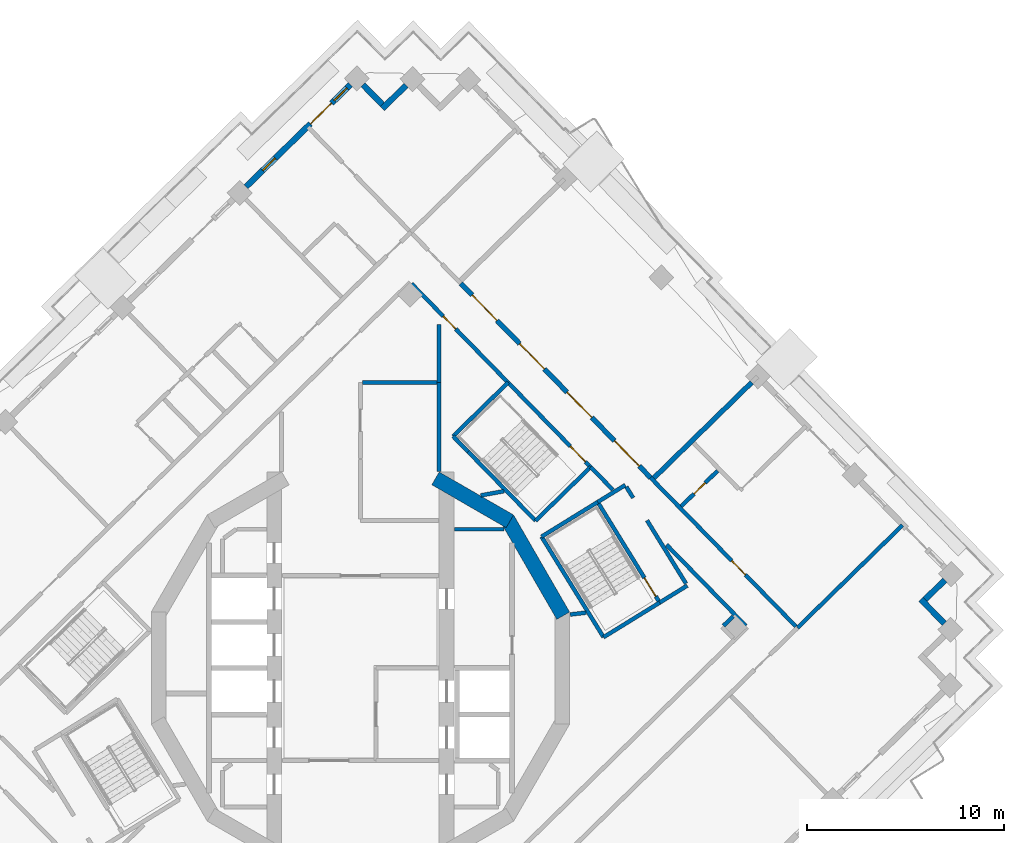
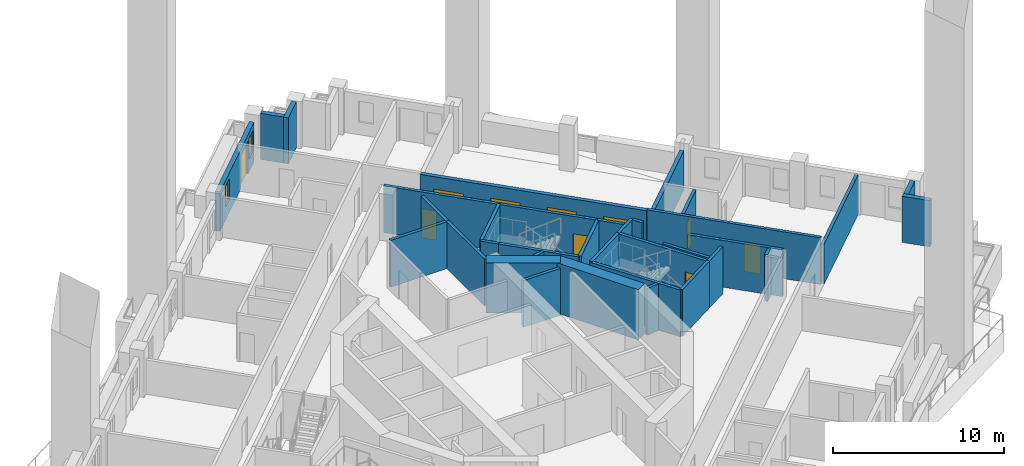
# One storey, part 8 of 17: 35 walls, 10 doors, 2 windows, 12 openings.
"""IFC4 building model written with IfcOpenShell, lengths in metres."""

from ifc_helpers import new_model, si_unit, direction, frame, frame_2d, origin, place, context, subcontext, project, spatial, rectangle, extrude, material, layer, layer_set, type_object, element, fill, save


model = new_model("IFC4")

# Units and contexts
model_context = context("Model", 3, precision=1e-05, world=origin(), true_north=direction((0.0, 1.0)))
body_context = subcontext(model_context, "Body", "Model", "MODEL_VIEW")
ifc_project = project(units=[si_unit("LENGTHUNIT", "METRE"), si_unit("AREAUNIT", "SQUARE_METRE"), si_unit("VOLUMEUNIT", "CUBIC_METRE"), si_unit("PLANEANGLEUNIT", "RADIAN"), si_unit("MASSUNIT", "GRAM", prefix="KILO")], contexts=[model_context])

# Site, building, storey
site_placement = place(None, origin())
site = spatial("IfcSite", under=ifc_project, at=site_placement, CompositionType="ELEMENT")
building_placement = place(site_placement, origin())
building = spatial("IfcBuilding", under=site, at=building_placement, Name="Cantera Rosa Tower", CompositionType="ELEMENT")
storey_placement = place(building_placement, frame((0.0, 0.0, 205.39990234375)))
storey = spatial("IfcBuildingStorey", under=building, at=storey_placement, Name="L43", CompositionType="ELEMENT", Elevation=205.39990234375)

# Walls
ifc_material_1 = material(Name="Gypsum board partition")
ifc_layer_1 = layer(ifc_material_1, 0.199951171875)
ifc_layer_set_1 = layer_set([ifc_layer_1], Name="CORRIDOR WALL 200 H2300")
wall_type_1 = type_object("IfcWallType", Name="CORRIDOR WALL 200 H2300", PredefinedType="PARTITIONING", material=ifc_layer_set_1)
wall_1_placement = place(storey_placement, frame((16.53759765625, 4.291748046875, 0.0), z_axis=(0.0, 0.0, 1.0), x_axis=(-0.524978610061, 0.85111542048, 0.0)))
element("IfcWall", 1, at=wall_1_placement, inside=storey, type_object=wall_type_1, Name="CORRIDOR WALL L43-116", PredefinedType="PARTITIONING", context=body_context, shape_type="SweptSolid", body=[
    extrude(rectangle(XDim=3.7705078125, YDim=0.199951171875, at=frame_2d((1.88525390625, 0.0))), origin(), (0.0, 0.0, 1.0), 2.300048828125),
])
ifc_material_2 = material(Name="Gypsum board partition")
ifc_layer_2 = layer(ifc_material_2, 0.199951171875)
ifc_layer_set_2 = layer_set([ifc_layer_2], Name="CORRIDOR WALL 200 H3350")
wall_type_2 = type_object("IfcWallType", Name="CORRIDOR WALL 200 H3350", PredefinedType="PARTITIONING", material=ifc_layer_set_2)
wall_2_placement = place(storey_placement, frame((3.89990234375, 14.5, 0.0), z_axis=(0.0, 0.0, 1.0), x_axis=(-1.0, 0.0, 0.0)))
element("IfcWall", 2, at=wall_2_placement, inside=storey, type_object=wall_type_2, Name="CORRIDOR WALL L43-080", PredefinedType="PARTITIONING", context=body_context, shape_type="SweptSolid", body=[
    extrude(rectangle(XDim=3.7998046875, YDim=0.199951171875, at=frame_2d((1.89990234375, 0.0))), origin(), (0.0, 0.0, 1.0), 3.35009765625),
])
wall_3_placement = place(storey_placement, frame((4.0, 14.5, 0.0), z_axis=(0.0, 0.0, 1.0), x_axis=(0.0, 1.0, 0.0)))
element("IfcWall", 3, at=wall_3_placement, inside=storey, type_object=wall_type_2, Name="CORRIDOR WALL L43-081", PredefinedType="PARTITIONING", context=body_context, shape_type="SweptSolid", body=[
    extrude(rectangle(XDim=2.94189453125, YDim=0.199951171875, at=frame_2d((1.470947265625, 0.0))), origin(), (0.0, 0.0, 1.0), 3.35009765625),
])

# Wall, opening, door
wall_4_placement = place(storey_placement, frame((7.498779296875, 14.50439453125, 0.0), z_axis=(0.0, 0.0, 1.0), x_axis=(-0.69881117118, 0.715306191106, 0.0)))
wall_4 = element("IfcWall", 4, at=wall_4_placement, inside=storey, type_object=wall_type_2, Name="CORRIDOR WALL L43-093", PredefinedType="PARTITIONING", context=body_context, shape_type="SweptSolid", body=[
    extrude(rectangle(XDim=7.015625, YDim=0.199951171875, at=frame_2d((3.5078125, 0.0))), origin(), (0.0, 0.0, 1.0), 3.35009765625),
])
opening_1_placement = place(wall_4_placement, frame((3.8056640625, 0.0, 0.0)))
opening_1 = element("IfcOpeningElement", 5, at=opening_1_placement, cuts=wall_4, Name="Opening L43-007", PredefinedType="OPENING", context=body_context, shape_type="SweptSolid", body=[
    extrude(rectangle(XDim=0.89990234375, YDim=2.10009765625, at=frame_2d((0.449951171875, 1.050048828125))), frame((0.0, 0.10986328125, 0.0), z_axis=(0.0, -1.0, 0.0), x_axis=(1.0, 0.0, 0.0)), (0.0, 0.0, 1.0), 0.219970703125),
])
ifc_material_3 = material(Name="Timber door leaf", Category="wood")
door_type_1 = type_object("IfcDoorType", Name="SERVICE DOOR 900x2100", OperationType="NOTDEFINED", PredefinedType="DOOR", material=ifc_material_3)
door_1_placement = place(opening_1_placement, origin())
door_1 = element("IfcDoor", 6, at=door_1_placement, inside=storey, type_object=door_type_1, Name="DOOR L43-007", OperationType="NOTDEFINED", OverallHeight=2.10009765625, OverallWidth=0.89990234375, PredefinedType="DOOR", context=body_context, shape_type="SweptSolid", body=[
    extrude(rectangle(XDim=0.89990234375, YDim=2.10009765625, at=frame_2d((0.449951171875, 1.050048828125))), frame((0.0, 0.02490234375, 0.0), z_axis=(0.0, -1.0, 0.0), x_axis=(1.0, 0.0, 0.0)), (0.0, 0.0, 1.0), 0.050048828125),
])
fill(opening_1, door_1)

# Walls
wall_5_placement = place(storey_placement, frame((12.05078125, 8.4326171875, 0.0), z_axis=(0.0, 0.0, 1.0), x_axis=(0.851076929832, 0.525041007453, 0.0)))
element("IfcWall", 7, at=wall_5_placement, inside=storey, type_object=wall_type_2, Name="CORRIDOR WALL L43-108", PredefinedType="PARTITIONING", context=body_context, shape_type="SweptSolid", body=[
    extrude(rectangle(XDim=1.645263671875, YDim=0.199951171875, at=frame_2d((0.82275390625, 0.0))), origin(), (0.0, 0.0, 1.0), 3.35009765625),
])
wall_6_placement = place(storey_placement, frame((12.828125, 9.0498046875, 0.0), z_axis=(0.0, 0.0, 1.0), x_axis=(-0.698800279723, 0.715316831242, 0.0)))
element("IfcWall", 8, at=wall_6_placement, inside=storey, type_object=wall_type_2, Name="CORRIDOR WALL L43-111", PredefinedType="PARTITIONING", context=body_context, shape_type="SweptSolid", body=[
    extrude(rectangle(XDim=1.6259765625, YDim=0.199951171875, at=frame_2d((0.81298828125, 0.0))), origin(), (0.0, 0.0, 1.0), 3.35009765625),
])
wall_7_placement = place(storey_placement, frame((15.20068359375, 3.325927734375, 0.0), z_axis=(0.0, 0.0, 1.0), x_axis=(0.8510360128, 0.525107327047, 0.0)))
element("IfcWall", 9, at=wall_7_placement, inside=storey, type_object=wall_type_2, Name="CORRIDOR WALL L43-115", PredefinedType="PARTITIONING", context=body_context, shape_type="SweptSolid", body=[
    extrude(rectangle(XDim=1.64501953125, YDim=0.199951171875, at=frame_2d((0.822509765625, 0.0))), origin(), (0.0, 0.0, 1.0), 3.35009765625),
])
wall_8_placement = place(storey_placement, frame((13.8525390625, 8.64501953125, 0.0), z_axis=(0.0, 0.0, 1.0), x_axis=(-0.52487540685, 0.851179068871, 0.0)))
element("IfcWall", 10, at=wall_8_placement, inside=storey, type_object=wall_type_2, Name="CORRIDOR WALL L43-117", PredefinedType="PARTITIONING", context=body_context, shape_type="SweptSolid", body=[
    extrude(rectangle(XDim=0.6650390625, YDim=0.199951171875, at=frame_2d((0.33251953125, 0.0))), origin(), (0.0, 0.0, 1.0), 3.35009765625),
])
wall_9_placement = place(storey_placement, frame((19.57763671875, 2.14111328125, 0.0), z_axis=(0.0, 0.0, 1.0), x_axis=(-0.698829155251, 0.715288621307, 0.0)))
element("IfcWall", 11, at=wall_9_placement, inside=storey, type_object=wall_type_2, Name="CORRIDOR WALL L43-123", PredefinedType="PARTITIONING", context=body_context, shape_type="SweptSolid", body=[
    extrude(rectangle(XDim=5.77001953125, YDim=0.199951171875, at=frame_2d((2.885009765625, 0.0))), origin(), (0.0, 0.0, 1.0), 3.35009765625),
])

# Wall, opening, door
wall_10_placement = place(storey_placement, frame((22.123291015625, 2.111572265625, 0.0), z_axis=(0.0, 0.0, 1.0), x_axis=(-0.698844025454, 0.715274092979, 0.0)))
wall_10 = element("IfcWall", 12, at=wall_10_placement, inside=storey, type_object=wall_type_2, Name="CORRIDOR WALL L43-124", PredefinedType="PARTITIONING", context=body_context, shape_type="SweptSolid", body=[
    extrude(rectangle(XDim=10.56494140625, YDim=0.199951171875, at=frame_2d((5.282470703125, 0.0))), origin(), (0.0, 0.0, 1.0), 3.35009765625),
])
opening_2_placement = place(wall_10_placement, frame((3.669921875, 0.0, 0.0)))
opening_2 = element("IfcOpeningElement", 13, at=opening_2_placement, cuts=wall_10, Name="Opening L43-023", PredefinedType="OPENING", context=body_context, shape_type="SweptSolid", body=[
    extrude(rectangle(XDim=1.0, YDim=2.10009765625, at=frame_2d((0.5, 1.050048828125))), frame((0.0, 0.10986328125, 0.0), z_axis=(0.0, -1.0, 0.0), x_axis=(1.0, 0.0, 0.0)), (0.0, 0.0, 1.0), 0.219970703125),
])
ifc_material_4 = material(Name="Timber door leaf", Category="wood")
door_type_2 = type_object("IfcDoorType", Name="ENTRANCE DOOR 1000x2100", OperationType="NOTDEFINED", PredefinedType="DOOR", material=ifc_material_4)
door_2_placement = place(opening_2_placement, origin())
door_2 = element("IfcDoor", 14, at=door_2_placement, inside=storey, type_object=door_type_2, Name="DOOR L43-023", OperationType="NOTDEFINED", OverallHeight=2.10009765625, OverallWidth=1.0, PredefinedType="DOOR", context=body_context, shape_type="SweptSolid", body=[
    extrude(rectangle(XDim=1.0, YDim=2.10009765625, at=frame_2d((0.5, 1.050048828125))), frame((0.0, 0.02490234375, 0.0), z_axis=(0.0, -1.0, 0.0), x_axis=(1.0, 0.0, 0.0)), (0.0, 0.0, 1.0), 0.050048828125),
])
fill(opening_2, door_2)

# Walls
ifc_material_5 = material(Name="Hollow clay masonry with cantera stone cladding", Category="masonry")
ifc_layer_3 = layer(ifc_material_5, 0.300048828125)
ifc_layer_set_3 = layer_set([ifc_layer_3], Name="EW-LOGGIA 300")
wall_type_3 = type_object("IfcWallType", Name="EW-LOGGIA 300", PredefinedType="SOLIDWALL", material=ifc_layer_set_3)
wall_11_placement = place(storey_placement, frame((2.324462890625, 29.602783203125, 0.0), z_axis=(0.0, 0.0, 1.0), x_axis=(-0.715316077832, -0.69880105094, 0.0)))
element("IfcWall", 15, at=wall_11_placement, inside=storey, type_object=wall_type_3, Name="EN-L43-W06a", PredefinedType="SOLIDWALL", context=body_context, shape_type="SweptSolid", body=[
    extrude(rectangle(XDim=1.699951171875, YDim=0.300048828125, at=frame_2d((0.85009765625, 0.0))), origin(), (0.0, 0.0, 1.0), 3.300048828125),
])
wall_12_placement = place(storey_placement, frame((1.111083984375, 28.626953125, 0.0), z_axis=(0.0, 0.0, 1.0), x_axis=(-0.698951192766, 0.71516937164, 0.0)))
element("IfcWall", 16, at=wall_12_placement, inside=storey, type_object=wall_type_3, Name="EN-L43-W06b", PredefinedType="SOLIDWALL", context=body_context, shape_type="SweptSolid", body=[
    extrude(rectangle(XDim=1.39990234375, YDim=0.300048828125, at=frame_2d((0.699951171875, 0.0))), origin(), (0.0, 0.0, 1.0), 3.300048828125),
])
wall_13_placement = place(storey_placement, frame((29.65625, 2.271484375, 0.0), z_axis=(0.0, 0.0, 1.0), x_axis=(-0.698872839675, 0.715245939495, 0.0)))
element("IfcWall", 17, at=wall_13_placement, inside=storey, type_object=wall_type_3, Name="EN-L43-W27a", PredefinedType="SOLIDWALL", context=body_context, shape_type="SweptSolid", body=[
    extrude(rectangle(XDim=1.699951171875, YDim=0.300048828125, at=frame_2d((0.85009765625, 0.0))), origin(), (0.0, 0.0, 1.0), 3.300048828125),
])
wall_14_placement = place(storey_placement, frame((28.680419921875, 3.48486328125, 0.0), z_axis=(0.0, 0.0, 1.0), x_axis=(0.71516937164, 0.698951192766, 0.0)))
element("IfcWall", 18, at=wall_14_placement, inside=storey, type_object=wall_type_3, Name="EN-L43-W27b", PredefinedType="SOLIDWALL", context=body_context, shape_type="SweptSolid", body=[
    extrude(rectangle(XDim=1.39990234375, YDim=0.300048828125, at=frame_2d((0.699951171875, 0.0))), origin(), (0.0, 0.0, 1.0), 3.300048828125),
])

# Wall, openings, windows, door
ifc_material_6 = material(Name="Hollow clay masonry with cantera stone cladding", Category="masonry")
ifc_layer_4 = layer(ifc_material_6, 0.300048828125)
ifc_layer_set_4 = layer_set([ifc_layer_4], Name="EW-LOGGIA 300 H2820")
wall_type_4 = type_object("IfcWallType", Name="EW-LOGGIA 300 H2820", PredefinedType="SOLIDWALL", material=ifc_layer_set_4)
wall_15_placement = place(storey_placement, frame((-0.503662109375, 29.6357421875, 0.0), z_axis=(0.0, 0.0, 1.0), x_axis=(-0.715284379566, -0.698833496871, 0.0)))
wall_15 = element("IfcWall", 19, at=wall_15_placement, inside=storey, type_object=wall_type_4, Name="EN-L43-W07", PredefinedType="SOLIDWALL", context=body_context, shape_type="SweptSolid", body=[
    extrude(rectangle(XDim=7.42041015625, YDim=0.300048828125, at=frame_2d((3.710205078125, 0.0))), origin(), (0.0, 0.0, 1.0), 2.820068359375),
])
opening_3_placement = place(wall_15_placement, frame((0.25, 0.0, 0.89990234375)))
opening_3 = element("IfcOpeningElement", 20, at=opening_3_placement, cuts=wall_15, Name="Opening L43-W07", PredefinedType="OPENING", context=body_context, shape_type="SweptSolid", body=[
    extrude(rectangle(XDim=0.89990234375, YDim=1.5, at=frame_2d((0.449951171875, 0.75))), frame((0.0, 0.159912109375, 0.0), z_axis=(0.0, -1.0, 0.0), x_axis=(1.0, 0.0, 0.0)), (0.0, 0.0, 1.0), 0.320068359375),
])
opening_4_placement = place(wall_15_placement, frame((1.35009765625, 0.0, 0.0)))
opening_4 = element("IfcOpeningElement", 21, at=opening_4_placement, cuts=wall_15, Name="Opening L43-TD08", PredefinedType="OPENING", context=body_context, shape_type="SweptSolid", body=[
    extrude(rectangle(XDim=1.5, YDim=2.39990234375, at=frame_2d((0.75, 1.199951171875))), frame((0.0, 0.159912109375, 0.0), z_axis=(0.0, -1.0, 0.0), x_axis=(1.0, 0.0, 0.0)), (0.0, 0.0, 1.0), 0.320068359375),
])
opening_5_placement = place(wall_15_placement, frame((5.340087890625, 0.0, 0.89990234375)))
opening_5 = element("IfcOpeningElement", 22, at=opening_5_placement, cuts=wall_15, Name="Opening L43-W09", PredefinedType="OPENING", context=body_context, shape_type="SweptSolid", body=[
    extrude(rectangle(XDim=0.89990234375, YDim=1.5, at=frame_2d((0.449951171875, 0.75))), frame((0.0, 0.159912109375, 0.0), z_axis=(0.0, -1.0, 0.0), x_axis=(1.0, 0.0, 0.0)), (0.0, 0.0, 1.0), 0.320068359375),
])
ifc_material_7 = material(Name="Aluminium frame with clear glass", Category="aluminium")
window_type = type_object("IfcWindowType", Name="Residential window 900x1500", PartitioningType="SINGLE_PANEL", PredefinedType="WINDOW", material=ifc_material_7)
window_1_placement = place(opening_3_placement, origin())
window_1 = element("IfcWindow", 23, at=window_1_placement, inside=storey, type_object=window_type, Name="WINDOW L43-W07", OverallHeight=1.5, OverallWidth=0.89990234375, PartitioningType="SINGLE_PANEL", PredefinedType="WINDOW", context=body_context, shape_type="SweptSolid", body=[
    extrude(rectangle(XDim=0.89990234375, YDim=1.5, at=frame_2d((0.449951171875, 0.75))), frame((0.0, 0.030029296875, 0.0), z_axis=(0.0, -1.0, 0.0), x_axis=(1.0, 0.0, 0.0)), (0.0, 0.0, 1.0), 0.06005859375),
])
fill(opening_3, window_1)
window_2_placement = place(opening_5_placement, origin())
window_2 = element("IfcWindow", 24, at=window_2_placement, inside=storey, type_object=window_type, Name="WINDOW L43-W09", OverallHeight=1.5, OverallWidth=0.89990234375, PartitioningType="SINGLE_PANEL", PredefinedType="WINDOW", context=body_context, shape_type="SweptSolid", body=[
    extrude(rectangle(XDim=0.89990234375, YDim=1.5, at=frame_2d((0.449951171875, 0.75))), frame((0.0, 0.030029296875, 0.0), z_axis=(0.0, -1.0, 0.0), x_axis=(1.0, 0.0, 0.0)), (0.0, 0.0, 1.0), 0.06005859375),
])
fill(opening_5, window_2)
ifc_material_8 = material(Name="Aluminium frame with clear glass", Category="aluminium")
door_type_3 = type_object("IfcDoorType", Name="TD-R 1500x2400", OperationType="NOTDEFINED", PredefinedType="DOOR", material=ifc_material_8)
door_3_placement = place(opening_4_placement, origin())
door_3 = element("IfcDoor", 25, at=door_3_placement, inside=storey, type_object=door_type_3, Name="LOGGIA DOOR L43-TD08", OperationType="SLIDING_TO_LEFT", OverallHeight=2.39990234375, OverallWidth=1.5, PredefinedType="DOOR", context=body_context, shape_type="SweptSolid", body=[
    extrude(rectangle(XDim=1.5, YDim=2.39990234375, at=frame_2d((0.75, 1.199951171875))), frame((0.0, 0.02490234375, 0.0), z_axis=(0.0, -1.0, 0.0), x_axis=(1.0, 0.0, 0.0)), (0.0, 0.0, 1.0), 0.050048828125),
])
fill(opening_4, door_3)

# Wall
ifc_material_9 = material(Name="Concrete C40/50", Category="concrete")
ifc_layer_5 = layer(ifc_material_9, 0.25)
ifc_layer_set_5 = layer_set([ifc_layer_5], Name="EW-POCKET CHEEK 250 H2820")
wall_type_5 = type_object("IfcWallType", Name="EW-POCKET CHEEK 250 H2820", PredefinedType="SOLIDWALL", material=ifc_layer_set_5)
wall_16_placement = place(storey_placement, frame((19.8701171875, 14.505859375, 0.0), z_axis=(0.0, 0.0, 1.0), x_axis=(-0.715278984135, -0.69883901927, 0.0)))
element("IfcWall", 26, at=wall_16_placement, inside=storey, type_object=wall_type_5, Name="POCKET CHEEK A L43", PredefinedType="SOLIDWALL", context=body_context, shape_type="SweptSolid", body=[
    extrude(rectangle(XDim=6.949951171875, YDim=0.25, at=frame_2d((3.47509765625, 0.0))), origin(), (0.0, 0.0, 1.0), 2.820068359375),
])

# Wall, openings, doors
ifc_material_10 = material(Name="Hollow clay masonry with cantera stone cladding", Category="masonry")
ifc_layer_6 = layer(ifc_material_10, 0.25)
ifc_layer_set_6 = layer_set([ifc_layer_6], Name="EW-POCKET REAR 250")
wall_type_6 = type_object("IfcWallType", Name="EW-POCKET REAR 250", PredefinedType="SOLIDWALL", material=ifc_layer_set_6)
wall_17_placement = place(storey_placement, frame((14.739990234375, 9.66845703125, 0.0), z_axis=(0.0, 0.0, 1.0), x_axis=(-0.698835388465, 0.715282531472, 0.0)))
wall_17 = element("IfcWall", 27, at=wall_17_placement, inside=storey, type_object=wall_type_6, Name="POCKET REAR L43", PredefinedType="SOLIDWALL", context=body_context, shape_type="SweptSolid", body=[
    extrude(rectangle(XDim=13.7900390625, YDim=0.25, at=frame_2d((6.89501953125, 0.0))), origin(), (0.0, 0.0, 1.0), 3.300048828125),
])
opening_6_placement = place(wall_17_placement, frame((0.82373046875, 0.0, 0.0)))
opening_6 = element("IfcOpeningElement", 28, at=opening_6_placement, cuts=wall_17, Name="Opening L43-LT01", PredefinedType="OPENING", context=body_context, shape_type="SweptSolid", body=[
    extrude(rectangle(XDim=1.800048828125, YDim=2.39990234375, at=frame_2d((0.89990234375, 1.199951171875))), frame((0.0, 0.135009765625, 0.0), z_axis=(0.0, -1.0, 0.0), x_axis=(1.0, 0.0, 0.0)), (0.0, 0.0, 1.0), 0.27001953125),
])
opening_7_placement = place(wall_17_placement, frame((4.271240234375, 0.0, 0.0)))
opening_7 = element("IfcOpeningElement", 29, at=opening_7_placement, cuts=wall_17, Name="Opening L43-LT02", PredefinedType="OPENING", context=body_context, shape_type="SweptSolid", body=[
    extrude(rectangle(XDim=1.800048828125, YDim=2.39990234375, at=frame_2d((0.89990234375, 1.199951171875))), frame((0.0, 0.135009765625, 0.0), z_axis=(0.0, -1.0, 0.0), x_axis=(1.0, 0.0, 0.0)), (0.0, 0.0, 1.0), 0.27001953125),
])
opening_8_placement = place(wall_17_placement, frame((7.71875, 0.0, 0.0)))
opening_8 = element("IfcOpeningElement", 30, at=opening_8_placement, cuts=wall_17, Name="Opening L43-LT03", PredefinedType="OPENING", context=body_context, shape_type="SweptSolid", body=[
    extrude(rectangle(XDim=1.800048828125, YDim=2.39990234375, at=frame_2d((0.89990234375, 1.199951171875))), frame((0.0, 0.135009765625, 0.0), z_axis=(0.0, -1.0, 0.0), x_axis=(1.0, 0.0, 0.0)), (0.0, 0.0, 1.0), 0.27001953125),
])
opening_9_placement = place(wall_17_placement, frame((11.166259765625, 0.0, 0.0)))
opening_9 = element("IfcOpeningElement", 31, at=opening_9_placement, cuts=wall_17, Name="Opening L43-LT04", PredefinedType="OPENING", context=body_context, shape_type="SweptSolid", body=[
    extrude(rectangle(XDim=1.800048828125, YDim=2.39990234375, at=frame_2d((0.89990234375, 1.199951171875))), frame((0.0, 0.135009765625, 0.0), z_axis=(0.0, -1.0, 0.0), x_axis=(1.0, 0.0, 0.0)), (0.0, 0.0, 1.0), 0.27001953125),
])
ifc_material_11 = material(Name="Aluminium frame with clear glass", Category="aluminium")
door_type_4 = type_object("IfcDoorType", Name="TD-T 1800x2400", OperationType="NOTDEFINED", PredefinedType="DOOR", material=ifc_material_11)
door_4_placement = place(opening_6_placement, origin())
door_4 = element("IfcDoor", 32, at=door_4_placement, inside=storey, type_object=door_type_4, Name="TERRACE DOOR L43-LT01", OperationType="DOUBLE_DOOR_SINGLE_SWING", OverallHeight=2.39990234375, OverallWidth=1.800048828125, PredefinedType="DOOR", context=body_context, shape_type="SweptSolid", body=[
    extrude(rectangle(XDim=1.800048828125, YDim=2.39990234375, at=frame_2d((0.89990234375, 1.199951171875))), frame((0.0, 0.02490234375, 0.0), z_axis=(0.0, -1.0, 0.0), x_axis=(1.0, 0.0, 0.0)), (0.0, 0.0, 1.0), 0.050048828125),
])
fill(opening_6, door_4)
door_5_placement = place(opening_7_placement, origin())
door_5 = element("IfcDoor", 33, at=door_5_placement, inside=storey, type_object=door_type_4, Name="TERRACE DOOR L43-LT02", OperationType="DOUBLE_DOOR_SINGLE_SWING", OverallHeight=2.39990234375, OverallWidth=1.800048828125, PredefinedType="DOOR", context=body_context, shape_type="SweptSolid", body=[
    extrude(rectangle(XDim=1.800048828125, YDim=2.39990234375, at=frame_2d((0.89990234375, 1.199951171875))), frame((0.0, 0.02490234375, 0.0), z_axis=(0.0, -1.0, 0.0), x_axis=(1.0, 0.0, 0.0)), (0.0, 0.0, 1.0), 0.050048828125),
])
fill(opening_7, door_5)
door_6_placement = place(opening_8_placement, origin())
door_6 = element("IfcDoor", 34, at=door_6_placement, inside=storey, type_object=door_type_4, Name="TERRACE DOOR L43-LT03", OperationType="DOUBLE_DOOR_SINGLE_SWING", OverallHeight=2.39990234375, OverallWidth=1.800048828125, PredefinedType="DOOR", context=body_context, shape_type="SweptSolid", body=[
    extrude(rectangle(XDim=1.800048828125, YDim=2.39990234375, at=frame_2d((0.89990234375, 1.199951171875))), frame((0.0, 0.02490234375, 0.0), z_axis=(0.0, -1.0, 0.0), x_axis=(1.0, 0.0, 0.0)), (0.0, 0.0, 1.0), 0.050048828125),
])
fill(opening_8, door_6)
door_7_placement = place(opening_9_placement, origin())
door_7 = element("IfcDoor", 35, at=door_7_placement, inside=storey, type_object=door_type_4, Name="TERRACE DOOR L43-LT04", OperationType="DOUBLE_DOOR_SINGLE_SWING", OverallHeight=2.39990234375, OverallWidth=1.800048828125, PredefinedType="DOOR", context=body_context, shape_type="SweptSolid", body=[
    extrude(rectangle(XDim=1.800048828125, YDim=2.39990234375, at=frame_2d((0.89990234375, 1.199951171875))), frame((0.0, 0.02490234375, 0.0), z_axis=(0.0, -1.0, 0.0), x_axis=(1.0, 0.0, 0.0)), (0.0, 0.0, 1.0), 0.050048828125),
])
fill(opening_9, door_7)

# Walls
ifc_material_12 = material(Name="Gypsum board partition")
ifc_layer_7 = layer(ifc_material_12, 0.199951171875)
ifc_layer_set_7 = layer_set([ifc_layer_7], Name="PARTITION 200 H3350")
wall_type_7 = type_object("IfcWallType", Name="PARTITION 200 H3350", PredefinedType="PARTITIONING", material=ifc_layer_set_7)
wall_18_placement = place(storey_placement, frame((4.0, 9.994140625, 0.0), z_axis=(0.0, 0.0, 1.0), x_axis=(0.0, 1.0, 0.0)))
element("IfcWall", 36, at=wall_18_placement, inside=storey, type_object=wall_type_7, Name="PARTITION L43-079", PredefinedType="PARTITIONING", context=body_context, shape_type="SweptSolid", body=[
    extrude(rectangle(XDim=4.505859375, YDim=0.199951171875, at=frame_2d((2.2529296875, 0.0))), origin(), (0.0, 0.0, 1.0), 3.35009765625),
])
wall_19_placement = place(storey_placement, frame((4.780029296875, 7.050048828125, 0.0), z_axis=(0.0, 0.0, 1.0), x_axis=(1.0, 0.0, 0.0)))
element("IfcWall", 37, at=wall_19_placement, inside=storey, type_object=wall_type_7, Name="PARTITION L43-084", PredefinedType="PARTITIONING", context=body_context, shape_type="SweptSolid", body=[
    extrude(rectangle(XDim=2.517822265625, YDim=0.199951171875, at=frame_2d((1.2587890625, 0.0))), origin(), (0.0, 0.0, 1.0), 3.35009765625),
])
wall_20_placement = place(storey_placement, frame((7.29052734375, 8.986083984375, 0.0), z_axis=(0.0, 0.0, 1.0), x_axis=(-0.983804366363, -0.179245554271, 0.0)))
element("IfcWall", 38, at=wall_20_placement, inside=storey, type_object=wall_type_7, Name="PARTITION L43-090", PredefinedType="PARTITIONING", context=body_context, shape_type="SweptSolid", body=[
    extrude(rectangle(XDim=1.193115234375, YDim=0.199951171875, at=frame_2d((0.5966796875, 0.0))), origin(), (0.0, 0.0, 1.0), 3.35009765625),
])
wall_21_placement = place(storey_placement, frame((10.6552734375, 2.720703125, 0.0), z_axis=(0.0, 0.0, 1.0), x_axis=(0.993258541439, 0.115920101187, 0.0)))
element("IfcWall", 39, at=wall_21_placement, inside=storey, type_object=wall_type_7, Name="PARTITION L43-104", PredefinedType="PARTITIONING", context=body_context, shape_type="SweptSolid", body=[
    extrude(rectangle(XDim=0.815185546875, YDim=0.199951171875, at=frame_2d((0.40771484375, 0.0))), origin(), (0.0, 0.0, 1.0), 3.35009765625),
])

# Wall, opening, door
wall_22_placement = place(storey_placement, frame((18.14208984375, 10.021484375, 0.0), z_axis=(0.0, 0.0, 1.0), x_axis=(-0.715337680074, -0.69877893748, 0.0)))
wall_22 = element("IfcWall", 40, at=wall_22_placement, inside=storey, type_object=wall_type_7, Name="PARTITION L43-119", PredefinedType="PARTITIONING", context=body_context, shape_type="SweptSolid", body=[
    extrude(rectangle(XDim=2.580078125, YDim=0.199951171875, at=frame_2d((1.2900390625, 0.0))), origin(), (0.0, 0.0, 1.0), 3.35009765625),
])
opening_10_placement = place(wall_22_placement, frame((0.8798828125, 0.0, 0.0)))
opening_10 = element("IfcOpeningElement", 41, at=opening_10_placement, cuts=wall_22, Name="Opening L43-024", PredefinedType="OPENING", context=body_context, shape_type="SweptSolid", body=[
    extrude(rectangle(XDim=0.800048828125, YDim=2.10009765625, at=frame_2d((0.39990234375, 1.050048828125))), frame((0.0, 0.10986328125, 0.0), z_axis=(0.0, -1.0, 0.0), x_axis=(1.0, 0.0, 0.0)), (0.0, 0.0, 1.0), 0.219970703125),
])
ifc_material_13 = material(Name="Timber door leaf", Category="wood")
door_type_5 = type_object("IfcDoorType", Name="BATHROOM DOOR 800x2100", OperationType="NOTDEFINED", PredefinedType="DOOR", material=ifc_material_13)
door_8_placement = place(opening_10_placement, origin())
door_8 = element("IfcDoor", 42, at=door_8_placement, inside=storey, type_object=door_type_5, Name="DOOR L43-024", OperationType="NOTDEFINED", OverallHeight=2.10009765625, OverallWidth=0.800048828125, PredefinedType="DOOR", context=body_context, shape_type="SweptSolid", body=[
    extrude(rectangle(XDim=0.800048828125, YDim=2.10009765625, at=frame_2d((0.39990234375, 1.050048828125))), frame((0.0, 0.02490234375, 0.0), z_axis=(0.0, -1.0, 0.0), x_axis=(1.0, 0.0, 0.0)), (0.0, 0.0, 1.0), 0.050048828125),
])
fill(opening_10, door_8)

# Walls
wall_23_placement = place(storey_placement, frame((18.932861328125, 2.62939453125, 0.0), z_axis=(0.0, 0.0, 1.0), x_axis=(-0.715493021556, -0.698619879552, 0.0)))
element("IfcWall", 43, at=wall_23_placement, inside=storey, type_object=wall_type_7, Name="PARTITION L43-122", PredefinedType="PARTITIONING", context=body_context, shape_type="SweptSolid", body=[
    extrude(rectangle(XDim=0.679931640625, YDim=0.199951171875, at=frame_2d((0.33984375, 0.0))), origin(), (0.0, 0.0, 1.0), 3.35009765625),
])
ifc_material_14 = material(Name="Gypsum board partition")
ifc_layer_8 = layer(ifc_material_14, 0.199951171875)
ifc_layer_set_8 = layer_set([ifc_layer_8], Name="PARTY WALL 200 H2850")
wall_type_8 = type_object("IfcWallType", Name="PARTY WALL 200 H2850", PredefinedType="PARTITIONING", material=ifc_layer_set_8)
wall_24_placement = place(storey_placement, frame((27.5361328125, 7.26025390625, 0.0), z_axis=(0.0, 0.0, 1.0), x_axis=(-0.715284364496, -0.698833512296, 0.0)))
element("IfcWall", 44, at=wall_24_placement, inside=storey, type_object=wall_type_8, Name="PARTY WALL L43-127", PredefinedType="PARTITIONING", context=body_context, shape_type="SweptSolid", body=[
    extrude(rectangle(XDim=7.449951171875, YDim=0.199951171875, at=frame_2d((3.72509765625, 0.0))), origin(), (0.0, 0.0, 1.0), 2.85009765625),
])
ifc_material_15 = material(Name="Concrete C60/75", Category="concrete")
ifc_layer_9 = layer(ifc_material_15, 0.75)
ifc_layer_set_9 = layer_set([ifc_layer_9], Name="RC CORE WALL 750 C60/75")
wall_type_9 = type_object("IfcWallType", Name="RC CORE WALL 750 C60/75", PredefinedType="SHEAR", material=ifc_layer_set_9)
wall_25_placement = place(storey_placement, frame((3.8125, 9.634765625, 0.0), z_axis=(0.0, 0.0, 1.0), x_axis=(0.866013176292, -0.50002117804, 0.0)))
element("IfcWall", 45, at=wall_25_placement, inside=storey, type_object=wall_type_9, Name="CW-E1 L43", PredefinedType="SHEAR", context=body_context, shape_type="SweptSolid", body=[
    extrude(rectangle(XDim=4.362548828125, YDim=0.75, at=frame_2d((2.18115234375, 0.0))), origin(), (0.0, 0.0, 1.0), 3.60009765625),
])
wall_26_placement = place(storey_placement, frame((7.453369140625, 7.590576171875, 0.0), z_axis=(0.0, 0.0, 1.0), x_axis=(0.500021842983, -0.866012792365, 0.0)))
element("IfcWall", 46, at=wall_26_placement, inside=storey, type_object=wall_type_9, Name="CW-E2 L43", PredefinedType="SHEAR", context=body_context, shape_type="SweptSolid", body=[
    extrude(rectangle(XDim=5.694091796875, YDim=0.75, at=frame_2d((2.84716796875, 0.0))), origin(), (0.0, 0.0, 1.0), 3.60009765625),
])
ifc_material_16 = material(Name="Concrete C50/60", Category="concrete")
ifc_layer_10 = layer(ifc_material_16, 0.199951171875)
ifc_layer_set_10 = layer_set([ifc_layer_10], Name="STAIR WALL 200 H3350")
wall_type_10 = type_object("IfcWallType", Name="STAIR WALL 200 H3350", PredefinedType="SOLIDWALL", material=ifc_layer_set_10)
wall_27_placement = place(storey_placement, frame((4.705322265625, 11.775390625, 0.0), z_axis=(0.0, 0.0, 1.0), x_axis=(0.698847807351, -0.715270397934, 0.0)))
element("IfcWall", 47, at=wall_27_placement, inside=storey, type_object=wall_type_10, Name="STAIR WALL L43-082", PredefinedType="SOLIDWALL", context=body_context, shape_type="SweptSolid", body=[
    extrude(rectangle(XDim=1.10009765625, YDim=0.199951171875, at=frame_2d((0.550048828125, 0.0))), origin(), (0.0, 0.0, 1.0), 3.35009765625),
])
wall_28_placement = place(storey_placement, frame((7.498779296875, 14.50439453125, 0.0), z_axis=(0.0, 0.0, 1.0), x_axis=(-0.715310770212, -0.698806483956, 0.0)))
element("IfcWall", 48, at=wall_28_placement, inside=storey, type_object=wall_type_10, Name="STAIR WALL L43-094", PredefinedType="SOLIDWALL", context=body_context, shape_type="SweptSolid", body=[
    extrude(rectangle(XDim=3.9052734375, YDim=0.199951171875, at=frame_2d((1.95263671875, 0.0))), origin(), (0.0, 0.0, 1.0), 3.35009765625),
])
wall_29_placement = place(storey_placement, frame((9.199462890625, 6.674072265625, 0.0), z_axis=(0.0, 0.0, 1.0), x_axis=(0.85113993661, 0.524938861495, 0.0)))
element("IfcWall", 49, at=wall_29_placement, inside=storey, type_object=wall_type_10, Name="STAIR WALL L43-100", PredefinedType="SOLIDWALL", context=body_context, shape_type="SweptSolid", body=[
    extrude(rectangle(XDim=3.35009765625, YDim=0.199951171875, at=frame_2d((1.675048828125, 0.0))), origin(), (0.0, 0.0, 1.0), 3.35009765625),
])
wall_30_placement = place(storey_placement, frame((9.199462890625, 6.674072265625, 0.0), z_axis=(0.0, 0.0, 1.0), x_axis=(0.524982543144, -0.851112994493, 0.0)))
element("IfcWall", 50, at=wall_30_placement, inside=storey, type_object=wall_type_10, Name="STAIR WALL L43-101", PredefinedType="SOLIDWALL", context=body_context, shape_type="SweptSolid", body=[
    extrude(rectangle(XDim=6.0, YDim=0.199951171875, at=frame_2d((3.0, 0.0))), origin(), (0.0, 0.0, 1.0), 3.35009765625),
])

# Wall, opening, door
wall_31_placement = place(storey_placement, frame((11.69189453125, 10.212890625, 0.0), z_axis=(0.0, 0.0, 1.0), x_axis=(-0.698860098963, 0.71525838833, 0.0)))
wall_31 = element("IfcWall", 51, at=wall_31_placement, inside=storey, type_object=wall_type_10, Name="STAIR WALL L43-105", PredefinedType="SOLIDWALL", context=body_context, shape_type="SweptSolid", body=[
    extrude(rectangle(XDim=6.0, YDim=0.199951171875, at=frame_2d((3.0, 0.0))), origin(), (0.0, 0.0, 1.0), 3.35009765625),
])
opening_11_placement = place(wall_31_placement, frame((0.375, 0.0, 0.0)))
opening_11 = element("IfcOpeningElement", 52, at=opening_11_placement, cuts=wall_31, Name="Opening L43-003", PredefinedType="OPENING", context=body_context, shape_type="SweptSolid", body=[
    extrude(rectangle(XDim=1.10009765625, YDim=2.10009765625, at=frame_2d((0.550048828125, 1.050048828125))), frame((0.0, 0.10986328125, 0.0), z_axis=(0.0, -1.0, 0.0), x_axis=(1.0, 0.0, 0.0)), (0.0, 0.0, 1.0), 0.219970703125),
])
ifc_material_17 = material(Name="Steel S355J2 (EN 10025-2)", Category="steel")
door_type_6 = type_object("IfcDoorType", Name="STAIR DOOR 1100x2100", OperationType="NOTDEFINED", PredefinedType="DOOR", material=ifc_material_17)
door_9_placement = place(opening_11_placement, origin())
door_9 = element("IfcDoor", 53, at=door_9_placement, inside=storey, type_object=door_type_6, Name="DOOR L43-003", OperationType="NOTDEFINED", OverallHeight=2.10009765625, OverallWidth=1.10009765625, PredefinedType="DOOR", context=body_context, shape_type="SweptSolid", body=[
    extrude(rectangle(XDim=1.10009765625, YDim=2.10009765625, at=frame_2d((0.550048828125, 1.050048828125))), frame((0.0, 0.02490234375, 0.0), z_axis=(0.0, -1.0, 0.0), x_axis=(1.0, 0.0, 0.0)), (0.0, 0.0, 1.0), 0.050048828125),
])
fill(opening_11, door_9)

# Wall
wall_32_placement = place(storey_placement, frame((11.69189453125, 10.212890625, 0.0), z_axis=(0.0, 0.0, 1.0), x_axis=(-0.715279521258, -0.698838469511, 0.0)))
element("IfcWall", 54, at=wall_32_placement, inside=storey, type_object=wall_type_10, Name="STAIR WALL L43-106", PredefinedType="SOLIDWALL", context=body_context, shape_type="SweptSolid", body=[
    extrude(rectangle(XDim=3.905517578125, YDim=0.199951171875, at=frame_2d((1.95263671875, 0.0))), origin(), (0.0, 0.0, 1.0), 3.35009765625),
])

# Wall, opening, door
wall_33_placement = place(storey_placement, frame((12.05078125, 8.4326171875, 0.0), z_axis=(0.0, 0.0, 1.0), x_axis=(0.524982543144, -0.851112994493, 0.0)))
wall_33 = element("IfcWall", 55, at=wall_33_placement, inside=storey, type_object=wall_type_10, Name="STAIR WALL L43-109", PredefinedType="SOLIDWALL", context=body_context, shape_type="SweptSolid", body=[
    extrude(rectangle(XDim=6.0, YDim=0.199951171875, at=frame_2d((3.0, 0.0))), origin(), (0.0, 0.0, 1.0), 3.35009765625),
])
opening_12_placement = place(wall_33_placement, frame((4.52490234375, 0.0, 0.0)))
opening_12 = element("IfcOpeningElement", 56, at=opening_12_placement, cuts=wall_33, Name="Opening L43-001", PredefinedType="OPENING", context=body_context, shape_type="SweptSolid", body=[
    extrude(rectangle(XDim=1.10009765625, YDim=2.10009765625, at=frame_2d((0.550048828125, 1.050048828125))), frame((0.0, 0.10986328125, 0.0), z_axis=(0.0, -1.0, 0.0), x_axis=(1.0, 0.0, 0.0)), (0.0, 0.0, 1.0), 0.219970703125),
])
door_10_placement = place(opening_12_placement, origin())
door_10 = element("IfcDoor", 57, at=door_10_placement, inside=storey, type_object=door_type_6, Name="DOOR L43-001", OperationType="NOTDEFINED", OverallHeight=2.10009765625, OverallWidth=1.10009765625, PredefinedType="DOOR", context=body_context, shape_type="SweptSolid", body=[
    extrude(rectangle(XDim=1.10009765625, YDim=2.10009765625, at=frame_2d((0.550048828125, 1.050048828125))), frame((0.0, 0.02490234375, 0.0), z_axis=(0.0, -1.0, 0.0), x_axis=(1.0, 0.0, 0.0)), (0.0, 0.0, 1.0), 0.050048828125),
])
fill(opening_12, door_10)

# Walls
wall_34_placement = place(storey_placement, frame((12.349365234375, 1.5673828125, 0.0), z_axis=(0.0, 0.0, 1.0), x_axis=(0.85113993661, 0.524938861495, 0.0)))
element("IfcWall", 58, at=wall_34_placement, inside=storey, type_object=wall_type_10, Name="STAIR WALL L43-110", PredefinedType="SOLIDWALL", context=body_context, shape_type="SweptSolid", body=[
    extrude(rectangle(XDim=3.35009765625, YDim=0.199951171875, at=frame_2d((1.675048828125, 0.0))), origin(), (0.0, 0.0, 1.0), 3.35009765625),
])
wall_35_placement = place(storey_placement, frame((5.47412109375, 10.988525390625, 0.0), z_axis=(0.0, 0.0, 1.0), x_axis=(0.698837952642, -0.715280026246, 0.0)))
element("IfcWall", 59, at=wall_35_placement, inside=storey, type_object=wall_type_10, Name="STAIR WALL L43-082 J", PredefinedType="SOLIDWALL", context=body_context, shape_type="SweptSolid", body=[
    extrude(rectangle(XDim=4.89990234375, YDim=0.199951171875, at=frame_2d((2.449951171875, 0.0))), origin(), (0.0, 0.0, 1.0), 3.35009765625),
])

save(model, "model.ifc")
